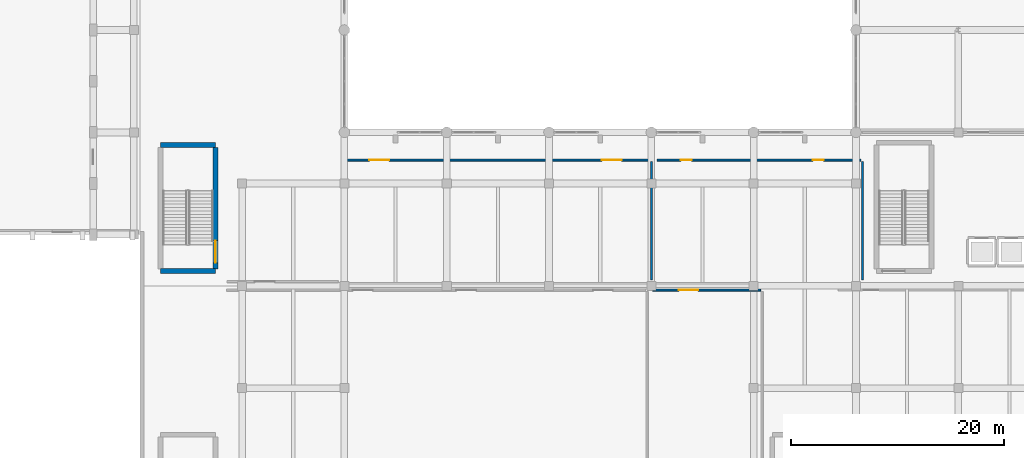
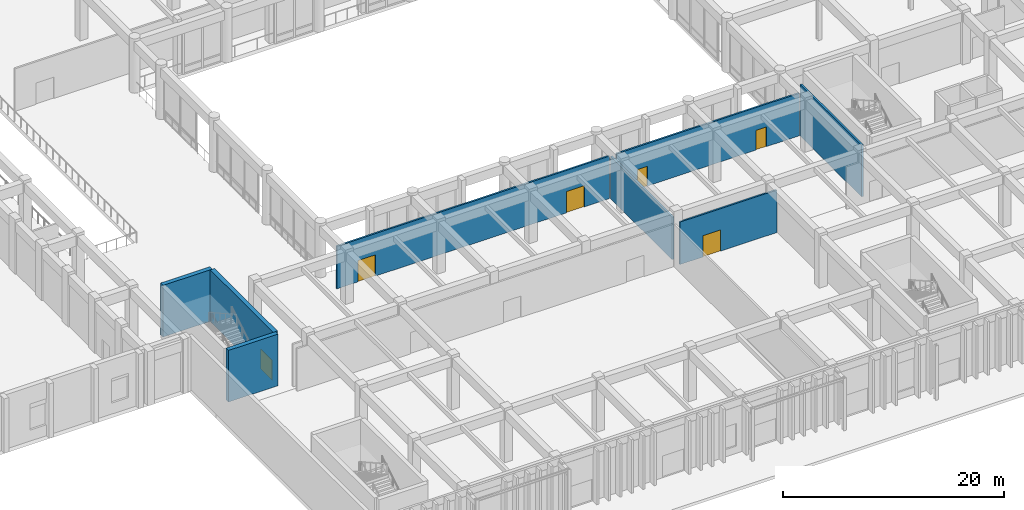
# One storey, part 43 of 87: 8 walls, 6 doors, 6 openings.
"""IFC4 building model written with IfcOpenShell, lengths in metres."""

from ifc_helpers import new_model, si_unit, direction, frame, frame_2d, origin, place, context, subcontext, project, spatial, rectangle, extrude, material, layer, layer_set, type_object, element, fill, save


model = new_model("IFC4")

# Units and contexts
model_context = context("Model", 3, precision=1e-05, world=origin(), true_north=direction((0.0, 1.0)))
body_context = subcontext(model_context, "Body", "Model", "MODEL_VIEW")
ifc_project = project(units=[si_unit("LENGTHUNIT", "METRE"), si_unit("AREAUNIT", "SQUARE_METRE"), si_unit("VOLUMEUNIT", "CUBIC_METRE"), si_unit("PLANEANGLEUNIT", "RADIAN"), si_unit("MASSUNIT", "GRAM", prefix="KILO")], contexts=[model_context])

# Site, building, storey
site_placement = place(None, origin())
site = spatial("IfcSite", under=ifc_project, at=site_placement, CompositionType="ELEMENT")
building_placement = place(site_placement, origin())
building = spatial("IfcBuilding", under=site, at=building_placement, Name="Nakhvara Creek Congress Hotel", CompositionType="ELEMENT")
storey_placement = place(building_placement, origin())
storey = spatial("IfcBuildingStorey", under=building, at=storey_placement, Name="L00", CompositionType="ELEMENT", Elevation=0.0)

# Walls
ifc_material_1 = material(Name="Concrete C50/60", Category="concrete")
ifc_layer_1 = layer(ifc_material_1, 0.449951171875)
ifc_layer_set_1 = layer_set([ifc_layer_1], Name="Concrete C50/60")
wall_type_1 = type_object("IfcWallType", Name="W-CORE-450", PredefinedType="SHEAR", material=ifc_layer_set_1)
for number, where, z_axis, x_axis, name in (
    (1, (59.550048828125, 30.179931640625, 0.0), (0.0, 0.0, 1.0), (1.0, 0.0, 0.0), "Core Shear Wall WS02-CWALL-L00-0987"),
    (2, (59.550048828125, 42.02001953125, 0.0), (0.0, 0.0, 1.0), (1.0, 0.0, 0.0), "Core Shear Wall WS02-CWALL-L00-0988"),
):
    element("IfcWall", number, at=place(storey_placement, frame(where, z_axis=z_axis, x_axis=x_axis)), inside=storey, type_object=wall_type_1, Name=name, PredefinedType="SHEAR", context=body_context, shape_type="SweptSolid", body=[
        extrude(rectangle(XDim=5.14990234375, YDim=0.449951171875, at=frame_2d((2.574951171875, 0.0))), origin(), (0.0, 0.0, 1.0), 5.699951171875),
    ])

# Wall, opening, door
wall_1_placement = place(storey_placement, frame((64.699951171875, 30.39990234375, 0.0), z_axis=(0.0, 0.0, 1.0), x_axis=(0.0, 1.0, 0.0)))
wall_1 = element("IfcWall", 3, at=wall_1_placement, inside=storey, type_object=wall_type_1, Name="Core Shear Wall WS02-CWALL-L00-0990", PredefinedType="SHEAR", context=body_context, shape_type="SweptSolid", body=[
    extrude(rectangle(XDim=11.400146484375, YDim=0.449951171875, at=frame_2d((5.7001953125, 0.0))), origin(), (0.0, 0.0, 1.0), 5.699951171875),
])
opening_1_placement = place(wall_1_placement, frame((0.550048828125, 0.0, 0.0)))
opening_1 = element("IfcOpeningElement", 4, at=opening_1_placement, cuts=wall_1, Name="Opening FD19", PredefinedType="OPENING", context=body_context, shape_type="SweptSolid", body=[
    extrude(rectangle(XDim=2.10009765625, YDim=2.199951171875, at=frame_2d((1.050048828125, 1.10009765625))), frame((0.0, 0.23681640625, 0.0), z_axis=(0.0, -1.0, 0.0), x_axis=(1.0, 0.0, 0.0)), (0.0, 0.0, 1.0), 0.473876953125),
])
ifc_material_2 = material(Name="Galvanised steel acoustic fire door", Category="steel")
door_type_1 = type_object("IfcDoorType", Name="DT-STAIR-220", OperationType="DOUBLE_DOOR_SINGLE_SWING", PredefinedType="DOOR", material=ifc_material_2)
door_1_placement = place(opening_1_placement, frame((2.10009765625, 0.0, 0.0), z_axis=(0.0, 0.0, 1.0), x_axis=(-1.0, 0.0, 0.0)))
door_1 = element("IfcDoor", 5, at=door_1_placement, inside=storey, type_object=door_type_1, Name="Stair Exit Door ST13-L00", OperationType="DOUBLE_DOOR_SINGLE_SWING", OverallHeight=2.199951171875, OverallWidth=2.10009765625, PredefinedType="DOOR", context=body_context, shape_type="SweptSolid", body=[
    extrude(rectangle(XDim=2.10009765625, YDim=2.199951171875, at=frame_2d((1.050048828125, 1.10009765625))), frame((0.0, 0.02490234375, 0.0), z_axis=(0.0, -1.0, 0.0), x_axis=(1.0, 0.0, 0.0)), (0.0, 0.0, 1.0), 0.050048828125),
])
fill(opening_1, door_1)

# Wall, openings, doors
ifc_material_3 = material(Name="Gypsum acoustic board on steel stud", Category="steel")
ifc_layer_2 = layer(ifc_material_3, 0.179931640625)
ifc_layer_set_2 = layer_set([ifc_layer_2], Name="Gypsum acoustic board on steel stud")
wall_type_2 = type_object("IfcWallType", Name="W-MEET-180", PredefinedType="PARTITIONING", material=ifc_layer_set_2)
wall_2_placement = place(storey_placement, frame((76.949951171875, 40.60009765625, 0.0), z_axis=(0.0, 0.0, 1.0), x_axis=(1.0, 0.0, 0.0)))
wall_2 = element("IfcWall", 6, at=wall_2_placement, inside=storey, type_object=wall_type_2, Name="Interior Wall WP13-IW-L00-0063", PredefinedType="PARTITIONING", context=body_context, shape_type="SweptSolid", body=[
    extrude(rectangle(XDim=28.5, YDim=0.179931640625, at=frame_2d((14.25, 0.0))), origin(), (0.0, 0.0, 1.0), 4.69189453125),
])
opening_2_placement = place(wall_2_placement, frame((2.199951171875, 0.0, 0.0)))
opening_2 = element("IfcOpeningElement", 7, at=opening_2_placement, cuts=wall_2, Name="Opening MD01", PredefinedType="OPENING", context=body_context, shape_type="SweptSolid", body=[
    extrude(rectangle(XDim=1.85009765625, YDim=2.35009765625, at=frame_2d((0.925048828125, 1.175048828125))), frame((0.0, 0.10205078125, 0.0), z_axis=(0.0, -1.0, 0.0), x_axis=(1.0, 0.0, 0.0)), (0.0, 0.0, 1.0), 0.203857421875),
])
opening_3_placement = place(wall_2_placement, frame((24.0, 0.0, 0.0)))
opening_3 = element("IfcOpeningElement", 8, at=opening_3_placement, cuts=wall_2, Name="Opening MD01", PredefinedType="OPENING", context=body_context, shape_type="SweptSolid", body=[
    extrude(rectangle(XDim=1.85009765625, YDim=2.35009765625, at=frame_2d((0.925048828125, 1.175048828125))), frame((0.0, 0.10205078125, 0.0), z_axis=(0.0, -1.0, 0.0), x_axis=(1.0, 0.0, 0.0)), (0.0, 0.0, 1.0), 0.203857421875),
])
ifc_material_4 = material(Name="Acoustic walnut timber double door", Category="wood")
door_type_2 = type_object("IfcDoorType", Name="DT-MEET-185", OperationType="DOUBLE_DOOR_SINGLE_SWING", PredefinedType="DOOR", material=ifc_material_4)
door_2_placement = place(opening_2_placement, origin())
door_2 = element("IfcDoor", 9, at=door_2_placement, inside=storey, type_object=door_type_2, Name="Interior Door MD01-0063", OperationType="DOUBLE_DOOR_SINGLE_SWING", OverallHeight=2.35009765625, OverallWidth=1.85009765625, PredefinedType="DOOR", context=body_context, shape_type="SweptSolid", body=[
    extrude(rectangle(XDim=1.85009765625, YDim=2.35009765625, at=frame_2d((0.925048828125, 1.175048828125))), frame((0.0, 0.02490234375, 0.0), z_axis=(0.0, -1.0, 0.0), x_axis=(1.0, 0.0, 0.0)), (0.0, 0.0, 1.0), 0.050048828125),
])
fill(opening_2, door_2)
door_3_placement = place(opening_3_placement, origin())
door_3 = element("IfcDoor", 10, at=door_3_placement, inside=storey, type_object=door_type_2, Name="Interior Door MD01-0064", OperationType="DOUBLE_DOOR_SINGLE_SWING", OverallHeight=2.35009765625, OverallWidth=1.85009765625, PredefinedType="DOOR", context=body_context, shape_type="SweptSolid", body=[
    extrude(rectangle(XDim=1.85009765625, YDim=2.35009765625, at=frame_2d((0.925048828125, 1.175048828125))), frame((0.0, 0.02490234375, 0.0), z_axis=(0.0, -1.0, 0.0), x_axis=(1.0, 0.0, 0.0)), (0.0, 0.0, 1.0), 0.050048828125),
])
fill(opening_3, door_3)

wall_3_placement = place(storey_placement, frame((106.14990234375, 40.60009765625, 0.0), z_axis=(0.0, 0.0, 1.0), x_axis=(1.0, 0.0, 0.0)))
wall_3 = element("IfcWall", 11, at=wall_3_placement, inside=storey, type_object=wall_type_2, Name="Interior Wall WP13-IW-L00-0065", PredefinedType="PARTITIONING", context=body_context, shape_type="SweptSolid", body=[
    extrude(rectangle(XDim=19.10009765625, YDim=0.179931640625, at=frame_2d((9.550048828125, 0.0))), origin(), (0.0, 0.0, 1.0), 4.69189453125),
])
opening_4_placement = place(wall_3_placement, frame((2.199951171875, 0.0, 0.0)))
opening_4 = element("IfcOpeningElement", 12, at=opening_4_placement, cuts=wall_3, Name="Opening ID04", PredefinedType="OPENING", context=body_context, shape_type="SweptSolid", body=[
    extrude(rectangle(XDim=1.050048828125, YDim=2.179931640625, at=frame_2d((0.52490234375, 1.08984375))), frame((0.0, 0.10205078125, 0.0), z_axis=(0.0, -1.0, 0.0), x_axis=(1.0, 0.0, 0.0)), (0.0, 0.0, 1.0), 0.203857421875),
])
opening_5_placement = place(wall_3_placement, frame((14.60009765625, 0.0, 0.0)))
opening_5 = element("IfcOpeningElement", 13, at=opening_5_placement, cuts=wall_3, Name="Opening ID04", PredefinedType="OPENING", context=body_context, shape_type="SweptSolid", body=[
    extrude(rectangle(XDim=1.050048828125, YDim=2.179931640625, at=frame_2d((0.52490234375, 1.08984375))), frame((0.0, 0.10205078125, 0.0), z_axis=(0.0, -1.0, 0.0), x_axis=(1.0, 0.0, 0.0)), (0.0, 0.0, 1.0), 0.203857421875),
])
ifc_material_5 = material(Name="Teak timber & frosted glass spa door", Category="wood")
door_type_3 = type_object("IfcDoorType", Name="DT-SPA-105", OperationType="NOTDEFINED", PredefinedType="DOOR", material=ifc_material_5)
door_4_placement = place(opening_4_placement, origin())
door_4 = element("IfcDoor", 14, at=door_4_placement, inside=storey, type_object=door_type_3, Name="Interior Door ID04-0065", OperationType="SINGLE_SWING_RIGHT", OverallHeight=2.179931640625, OverallWidth=1.050048828125, PredefinedType="DOOR", context=body_context, shape_type="SweptSolid", body=[
    extrude(rectangle(XDim=1.050048828125, YDim=2.179931640625, at=frame_2d((0.52490234375, 1.08984375))), frame((0.0, 0.02490234375, 0.0), z_axis=(0.0, -1.0, 0.0), x_axis=(1.0, 0.0, 0.0)), (0.0, 0.0, 1.0), 0.050048828125),
])
fill(opening_4, door_4)
door_5_placement = place(opening_5_placement, origin())
door_5 = element("IfcDoor", 15, at=door_5_placement, inside=storey, type_object=door_type_3, Name="Interior Door ID04-0066", OperationType="SINGLE_SWING_LEFT", OverallHeight=2.179931640625, OverallWidth=1.050048828125, PredefinedType="DOOR", context=body_context, shape_type="SweptSolid", body=[
    extrude(rectangle(XDim=1.050048828125, YDim=2.179931640625, at=frame_2d((0.52490234375, 1.08984375))), frame((0.0, 0.02490234375, 0.0), z_axis=(0.0, -1.0, 0.0), x_axis=(1.0, 0.0, 0.0)), (0.0, 0.0, 1.0), 0.050048828125),
])
fill(opening_5, door_5)

# Wall, opening, door
wall_4_placement = place(storey_placement, frame((105.75, 28.39990234375, 0.0), z_axis=(0.0, 0.0, 1.0), x_axis=(1.0, 0.0, 0.0)))
wall_4 = element("IfcWall", 16, at=wall_4_placement, inside=storey, type_object=wall_type_2, Name="Interior Wall WP13-IW-L00-0069", PredefinedType="PARTITIONING", context=body_context, shape_type="SweptSolid", body=[
    extrude(rectangle(XDim=10.10009765625, YDim=0.179931640625, at=frame_2d((5.050048828125, 0.0))), origin(), (0.0, 0.0, 1.0), 4.69189453125),
])
opening_6_placement = place(wall_4_placement, frame((2.39990234375, 0.0, 0.0)))
opening_6 = element("IfcOpeningElement", 17, at=opening_6_placement, cuts=wall_4, Name="Opening MD01", PredefinedType="OPENING", context=body_context, shape_type="SweptSolid", body=[
    extrude(rectangle(XDim=1.85009765625, YDim=2.35009765625, at=frame_2d((0.925048828125, 1.175048828125))), frame((0.0, 0.10205078125, 0.0), z_axis=(0.0, -1.0, 0.0), x_axis=(1.0, 0.0, 0.0)), (0.0, 0.0, 1.0), 0.203857421875),
])
door_6_placement = place(opening_6_placement, origin())
door_6 = element("IfcDoor", 18, at=door_6_placement, inside=storey, type_object=door_type_2, Name="Interior Door MD01-0070", OperationType="DOUBLE_DOOR_SINGLE_SWING", OverallHeight=2.35009765625, OverallWidth=1.85009765625, PredefinedType="DOOR", context=body_context, shape_type="SweptSolid", body=[
    extrude(rectangle(XDim=1.85009765625, YDim=2.35009765625, at=frame_2d((0.925048828125, 1.175048828125))), frame((0.0, 0.02490234375, 0.0), z_axis=(0.0, -1.0, 0.0), x_axis=(1.0, 0.0, 0.0)), (0.0, 0.0, 1.0), 0.050048828125),
])
fill(opening_6, door_6)

# Walls
ifc_layer_3 = layer(ifc_material_3, 0.199951171875)
ifc_layer_set_3 = layer_set([ifc_layer_3], Name="Gypsum acoustic board on steel stud")
wall_type_3 = type_object("IfcWallType", Name="W-PART-200", PredefinedType="PARTITIONING", material=ifc_layer_set_3)
wall_5_placement = place(storey_placement, frame((105.60009765625, 29.35009765625, 0.0), z_axis=(0.0, 0.0, 1.0), x_axis=(0.0, 1.0, 0.0)))
element("IfcWall", 19, at=wall_5_placement, inside=storey, type_object=wall_type_3, Name="Interior Wall WP12-IW-L00-0064", PredefinedType="PARTITIONING", context=body_context, shape_type="SweptSolid", body=[
    extrude(rectangle(XDim=11.099853515625, YDim=0.199951171875, at=frame_2d((5.5498046875, 0.0))), origin(), (0.0, 0.0, 1.0), 4.69189453125),
])
wall_6_placement = place(storey_placement, frame((125.39990234375, 29.35009765625, 0.0), z_axis=(0.0, 0.0, 1.0), x_axis=(0.0, 1.0, 0.0)))
element("IfcWall", 20, at=wall_6_placement, inside=storey, type_object=wall_type_3, Name="Interior Wall WP12-IW-L00-0066", PredefinedType="PARTITIONING", context=body_context, shape_type="SweptSolid", body=[
    extrude(rectangle(XDim=11.099853515625, YDim=0.199951171875, at=frame_2d((5.5498046875, 0.0))), origin(), (0.0, 0.0, 1.0), 5.699951171875),
])

save(model, "model.ifc")
